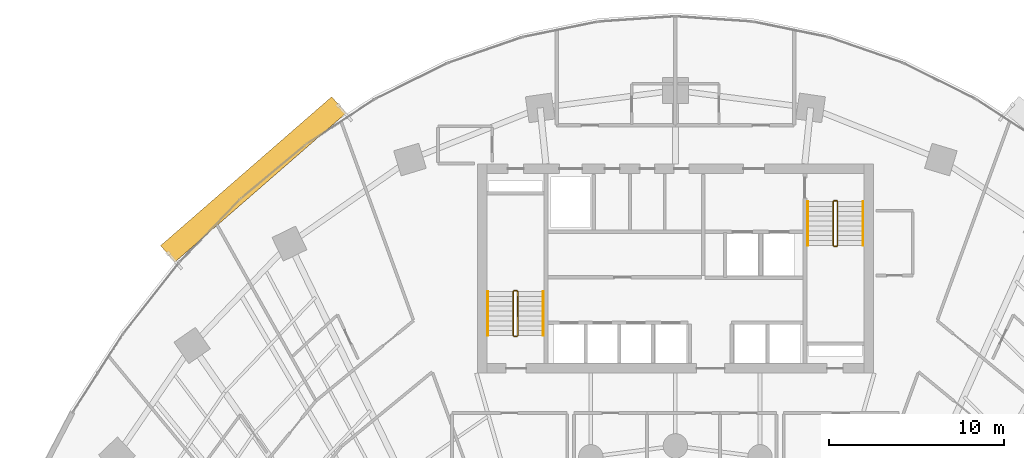
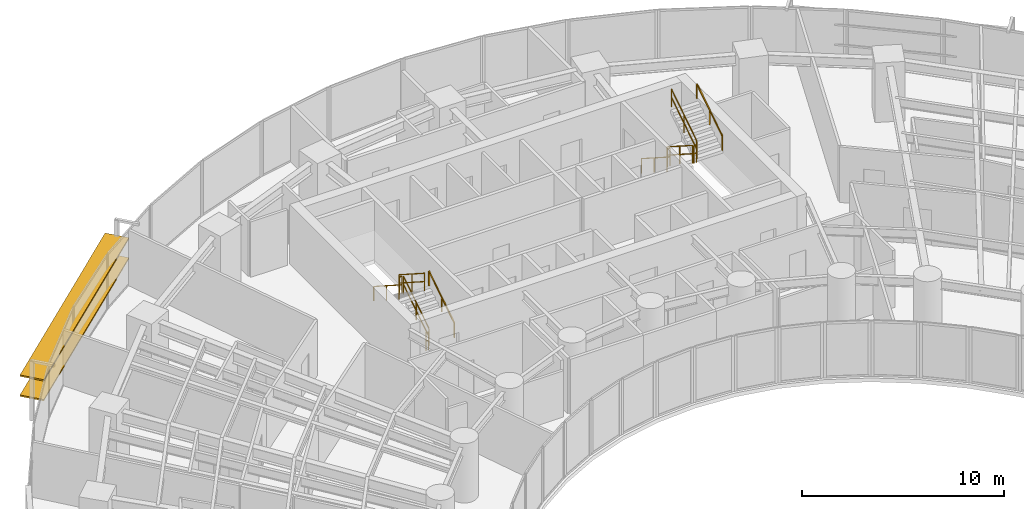
# One storey, part 16 of 17: 12 railings, 2 shading devices.
"""IFC4 building model written with IfcOpenShell, lengths in metres."""

from ifc_helpers import new_model, si_unit, direction, frame, origin, origin_2d, place, context, subcontext, project, spatial, rectangle, extrude, source, transform, mapped, material, material_profile, profile_set, type_object, type_shapes, element, save


model = new_model("IFC4")

# Units and contexts
model_context = context("Model", 3, precision=1e-05, world=origin(), true_north=direction((0.0, 1.0)))
body_context = subcontext(model_context, "Body", "Model", "MODEL_VIEW")
ifc_project = project(units=[si_unit("LENGTHUNIT", "METRE"), si_unit("AREAUNIT", "SQUARE_METRE"), si_unit("VOLUMEUNIT", "CUBIC_METRE"), si_unit("PLANEANGLEUNIT", "RADIAN"), si_unit("MASSUNIT", "GRAM", prefix="KILO")], contexts=[model_context])

# Site, building, storey
site_placement = place(None, origin())
site = spatial("IfcSite", under=ifc_project, at=site_placement, CompositionType="ELEMENT")
building_placement = place(site_placement, origin())
building = spatial("IfcBuilding", under=site, at=building_placement, Name="Breltana Convention Tower", CompositionType="ELEMENT")
storey_placement = place(building_placement, frame((0.0, 0.0, 49.800048828125)))
storey = spatial("IfcBuildingStorey", under=building, at=storey_placement, Name="L10", CompositionType="ELEMENT", Elevation=49.800048828125)

# Railings
ifc_material_1 = material(Name="Steel S275 Painted", Category="steel")
railing_type_1 = type_object("IfcRailingType", Name="RL-STAIR-GUARD-1100", PredefinedType="GUARDRAIL", material=ifc_material_1)
railing_1_placement = place(storey_placement, frame((38.9599609375, 62.360107421875, 0.179931640625)))
element("IfcRailing", 1, at=railing_1_placement, inside=storey, type_object=railing_type_1, Name="L10 ST-1 stair guard 1", PredefinedType="GUARDRAIL", context=body_context, shape_type="SweptSolid", body=[
    extrude(rectangle(XDim=0.048095703125, YDim=0.048095703125, at=origin_2d()), frame((0.0, 0.0, 1.076171875), z_axis=(0.0, 0.841138753965, 0.540819375188), x_axis=(-1.0, 0.0, 0.0)), (0.0, 0.0, 1.0), 2.99560546875),
    extrude(rectangle(XDim=0.048095703125, YDim=0.048095703125, at=origin_2d()), frame((0.0, 0.0, 0.572021484375), z_axis=(0.0, 0.841138753965, 0.540819375188), x_axis=(-1.0, 0.0, 0.0)), (0.0, 0.0, 1.0), 2.99560546875),
    extrude(rectangle(XDim=0.0419921875, YDim=0.0419921875, at=origin_2d()), origin(), (0.0, 0.0, 1.0), 1.052001953125),
    extrude(rectangle(XDim=0.0419921875, YDim=0.0419921875, at=origin_2d()), frame((0.0, 1.259765625, 0.81005859375)), (0.0, 0.0, 1.0), 1.052001953125),
    extrude(rectangle(XDim=0.0419921875, YDim=0.0419921875, at=origin_2d()), frame((0.0, 2.519775390625, 1.6201171875)), (0.0, 0.0, 1.0), 1.052001953125),
])
railing_2_placement = place(storey_placement, frame((38.909912109375, 64.929931640625, 1.800048828125)))
element("IfcRailing", 2, at=railing_2_placement, inside=storey, type_object=railing_type_1, Name="L10 ST-1 stair guard 2", PredefinedType="GUARDRAIL", context=body_context, shape_type="SweptSolid", body=[
    extrude(rectangle(XDim=0.048095703125, YDim=0.048095703125, at=origin_2d()), frame((0.0, 0.0, 1.076171875), z_axis=(-1.0, 0.0, 0.0), x_axis=(0.0, -1.0, 0.0)), (0.0, 0.0, 1.0), 0.14990234375),
    extrude(rectangle(XDim=0.048095703125, YDim=0.048095703125, at=origin_2d()), frame((0.0, 0.0, 0.572021484375), z_axis=(-1.0, 0.0, 0.0), x_axis=(0.0, -1.0, 0.0)), (0.0, 0.0, 1.0), 0.14990234375),
    extrude(rectangle(XDim=0.0419921875, YDim=0.0419921875, at=origin_2d()), origin(), (0.0, 0.0, 1.0), 1.052001953125),
    extrude(rectangle(XDim=0.0419921875, YDim=0.0419921875, at=origin_2d()), frame((-0.14990234375, 0.0, 0.0)), (0.0, 0.0, 1.0), 1.052001953125),
])
railing_3_placement = place(storey_placement, frame((38.7099609375, 64.8798828125, 1.97998046875)))
element("IfcRailing", 3, at=railing_3_placement, inside=storey, type_object=railing_type_1, Name="L10 ST-1 stair guard 3", PredefinedType="GUARDRAIL", context=body_context, shape_type="SweptSolid", body=[
    extrude(rectangle(XDim=0.048095703125, YDim=0.048095703125, at=origin_2d()), frame((0.0, 0.0, 1.076171875), z_axis=(0.0, -0.841175827307, 0.540761710511), x_axis=(1.0, 0.0, 0.0)), (0.0, 0.0, 1.0), 2.99560546875),
    extrude(rectangle(XDim=0.048095703125, YDim=0.048095703125, at=origin_2d()), frame((0.0, 0.0, 0.572021484375), z_axis=(0.0, -0.841175827307, 0.540761710511), x_axis=(1.0, 0.0, 0.0)), (0.0, 0.0, 1.0), 2.99560546875),
    extrude(rectangle(XDim=0.0419921875, YDim=0.0419921875, at=origin_2d()), origin(), (0.0, 0.0, 1.0), 1.052001953125),
    extrude(rectangle(XDim=0.0419921875, YDim=0.0419921875, at=origin_2d()), frame((0.0, -1.259765625, 0.81005859375)), (0.0, 0.0, 1.0), 1.052001953125),
    extrude(rectangle(XDim=0.0419921875, YDim=0.0419921875, at=origin_2d()), frame((0.0, -2.519775390625, 1.619873046875)), (0.0, 0.0, 1.0), 1.052001953125),
])
railing_4_placement = place(storey_placement, frame((38.909912109375, 62.31005859375, 0.0)))
element("IfcRailing", 4, at=railing_4_placement, inside=storey, type_object=railing_type_1, Name="L10 ST-1 stair guard 4", PredefinedType="GUARDRAIL", context=body_context, shape_type="SweptSolid", body=[
    extrude(rectangle(XDim=0.048095703125, YDim=0.048095703125, at=origin_2d()), frame((0.0, 0.0, 1.076171875), z_axis=(-1.0, 0.0, 0.0), x_axis=(0.0, -1.0, 0.0)), (0.0, 0.0, 1.0), 0.14990234375),
    extrude(rectangle(XDim=0.048095703125, YDim=0.048095703125, at=origin_2d()), frame((0.0, 0.0, 0.572021484375), z_axis=(-1.0, 0.0, 0.0), x_axis=(0.0, -1.0, 0.0)), (0.0, 0.0, 1.0), 0.14990234375),
    extrude(rectangle(XDim=0.0419921875, YDim=0.0419921875, at=origin_2d()), origin(), (0.0, 0.0, 1.0), 1.052001953125),
    extrude(rectangle(XDim=0.0419921875, YDim=0.0419921875, at=origin_2d()), frame((-0.14990234375, 0.0, 0.0)), (0.0, 0.0, 1.0), 1.052001953125),
])
railing_5_placement = place(storey_placement, frame((57.0400390625, 70.0400390625, 0.179931640625)))
element("IfcRailing", 5, at=railing_5_placement, inside=storey, type_object=railing_type_1, Name="L10 ST-2 stair guard 1", PredefinedType="GUARDRAIL", context=body_context, shape_type="SweptSolid", body=[
    extrude(rectangle(XDim=0.048095703125, YDim=0.048095703125, at=origin_2d()), frame((0.0, 0.0, 1.076171875), z_axis=(0.0, -0.841162588446, 0.540782303519), x_axis=(1.0, 0.0, 0.0)), (0.0, 0.0, 1.0), 2.995849609375),
    extrude(rectangle(XDim=0.048095703125, YDim=0.048095703125, at=origin_2d()), frame((0.0, 0.0, 0.572021484375), z_axis=(0.0, -0.841162588446, 0.540782303519), x_axis=(1.0, 0.0, 0.0)), (0.0, 0.0, 1.0), 2.995849609375),
    extrude(rectangle(XDim=0.0419921875, YDim=0.0419921875, at=origin_2d()), origin(), (0.0, 0.0, 1.0), 1.052001953125),
    extrude(rectangle(XDim=0.0419921875, YDim=0.0419921875, at=origin_2d()), frame((0.0, -1.260009765625, 0.81005859375)), (0.0, 0.0, 1.0), 1.052001953125),
    extrude(rectangle(XDim=0.0419921875, YDim=0.0419921875, at=origin_2d()), frame((0.0, -2.52001953125, 1.6201171875)), (0.0, 0.0, 1.0), 1.052001953125),
])
railing_6_placement = place(storey_placement, frame((57.090087890625, 67.469970703125, 1.800048828125)))
element("IfcRailing", 6, at=railing_6_placement, inside=storey, type_object=railing_type_1, Name="L10 ST-2 stair guard 2", PredefinedType="GUARDRAIL", context=body_context, shape_type="SweptSolid", body=[
    extrude(rectangle(XDim=0.048095703125, YDim=0.048095703125, at=origin_2d()), frame((0.0, 0.0, 1.076171875), z_axis=(1.0, 0.0, 0.0), x_axis=(0.0, 1.0, 0.0)), (0.0, 0.0, 1.0), 0.14990234375),
    extrude(rectangle(XDim=0.048095703125, YDim=0.048095703125, at=origin_2d()), frame((0.0, 0.0, 0.572021484375), z_axis=(1.0, 0.0, 0.0), x_axis=(0.0, 1.0, 0.0)), (0.0, 0.0, 1.0), 0.14990234375),
    extrude(rectangle(XDim=0.0419921875, YDim=0.0419921875, at=origin_2d()), origin(), (0.0, 0.0, 1.0), 1.052001953125),
    extrude(rectangle(XDim=0.0419921875, YDim=0.0419921875, at=origin_2d()), frame((0.14990234375, 0.0, 0.0)), (0.0, 0.0, 1.0), 1.052001953125),
])
railing_7_placement = place(storey_placement, frame((57.2900390625, 67.52001953125, 1.97998046875)))
element("IfcRailing", 7, at=railing_7_placement, inside=storey, type_object=railing_type_1, Name="L10 ST-2 stair guard 3", PredefinedType="GUARDRAIL", context=body_context, shape_type="SweptSolid", body=[
    extrude(rectangle(XDim=0.048095703125, YDim=0.048095703125, at=origin_2d()), frame((0.0, 0.0, 1.076171875), z_axis=(0.0, 0.841199657755, 0.540724639528), x_axis=(-1.0, 0.0, 0.0)), (0.0, 0.0, 1.0), 2.995849609375),
    extrude(rectangle(XDim=0.048095703125, YDim=0.048095703125, at=origin_2d()), frame((0.0, 0.0, 0.572021484375), z_axis=(0.0, 0.841199657755, 0.540724639528), x_axis=(-1.0, 0.0, 0.0)), (0.0, 0.0, 1.0), 2.995849609375),
    extrude(rectangle(XDim=0.0419921875, YDim=0.0419921875, at=origin_2d()), origin(), (0.0, 0.0, 1.0), 1.052001953125),
    extrude(rectangle(XDim=0.0419921875, YDim=0.0419921875, at=origin_2d()), frame((0.0, 1.260009765625, 0.81005859375)), (0.0, 0.0, 1.0), 1.052001953125),
    extrude(rectangle(XDim=0.0419921875, YDim=0.0419921875, at=origin_2d()), frame((0.0, 2.52001953125, 1.619873046875)), (0.0, 0.0, 1.0), 1.052001953125),
])
railing_8_placement = place(storey_placement, frame((57.090087890625, 70.090087890625, 0.0)))
element("IfcRailing", 8, at=railing_8_placement, inside=storey, type_object=railing_type_1, Name="L10 ST-2 stair guard 4", PredefinedType="GUARDRAIL", context=body_context, shape_type="SweptSolid", body=[
    extrude(rectangle(XDim=0.048095703125, YDim=0.048095703125, at=origin_2d()), frame((0.0, 0.0, 1.076171875), z_axis=(1.0, 0.0, 0.0), x_axis=(0.0, 1.0, 0.0)), (0.0, 0.0, 1.0), 0.14990234375),
    extrude(rectangle(XDim=0.048095703125, YDim=0.048095703125, at=origin_2d()), frame((0.0, 0.0, 0.572021484375), z_axis=(1.0, 0.0, 0.0), x_axis=(0.0, 1.0, 0.0)), (0.0, 0.0, 1.0), 0.14990234375),
    extrude(rectangle(XDim=0.0419921875, YDim=0.0419921875, at=origin_2d()), origin(), (0.0, 0.0, 1.0), 1.052001953125),
    extrude(rectangle(XDim=0.0419921875, YDim=0.0419921875, at=origin_2d()), frame((0.14990234375, 0.0, 0.0)), (0.0, 0.0, 1.0), 1.052001953125),
])
ifc_material_2 = material(Name="Stainless Steel 316L", Category="steel")
railing_type_2 = type_object("IfcRailingType", Name="RL-STAIR-HANDRAIL-900", PredefinedType="HANDRAIL", material=ifc_material_2)
railing_9_placement = place(storey_placement, frame((40.419921875, 62.360107421875, 0.179931640625)))
element("IfcRailing", 9, at=railing_9_placement, inside=storey, type_object=railing_type_2, Name="L10 ST-1 stair handrail 1", PredefinedType="HANDRAIL", context=body_context, shape_type="SweptSolid", body=[
    extrude(rectangle(XDim=0.048095703125, YDim=0.048095703125, at=origin_2d()), frame((0.0, 0.0, 0.8759765625), z_axis=(0.0, 0.841138753965, 0.540819375188), x_axis=(-1.0, 0.0, 0.0)), (0.0, 0.0, 1.0), 2.99560546875),
    extrude(rectangle(XDim=0.0419921875, YDim=0.0419921875, at=origin_2d()), origin(), (0.0, 0.0, 1.0), 0.851806640625),
    extrude(rectangle(XDim=0.0419921875, YDim=0.0419921875, at=origin_2d()), frame((0.0, 1.259765625, 0.81005859375)), (0.0, 0.0, 1.0), 0.851806640625),
    extrude(rectangle(XDim=0.0419921875, YDim=0.0419921875, at=origin_2d()), frame((0.0, 2.519775390625, 1.6201171875)), (0.0, 0.0, 1.0), 0.851806640625),
])
railing_10_placement = place(storey_placement, frame((37.25, 64.8798828125, 1.97998046875)))
element("IfcRailing", 10, at=railing_10_placement, inside=storey, type_object=railing_type_2, Name="L10 ST-1 stair handrail 2", PredefinedType="HANDRAIL", context=body_context, shape_type="SweptSolid", body=[
    extrude(rectangle(XDim=0.048095703125, YDim=0.048095703125, at=origin_2d()), frame((0.0, 0.0, 0.8759765625), z_axis=(0.0, -0.841175827307, 0.540761710511), x_axis=(1.0, 0.0, 0.0)), (0.0, 0.0, 1.0), 2.99560546875),
    extrude(rectangle(XDim=0.0419921875, YDim=0.0419921875, at=origin_2d()), origin(), (0.0, 0.0, 1.0), 0.851806640625),
    extrude(rectangle(XDim=0.0419921875, YDim=0.0419921875, at=origin_2d()), frame((0.0, -1.259765625, 0.81005859375)), (0.0, 0.0, 1.0), 0.851806640625),
    extrude(rectangle(XDim=0.0419921875, YDim=0.0419921875, at=origin_2d()), frame((0.0, -2.519775390625, 1.619873046875)), (0.0, 0.0, 1.0), 0.851806640625),
])
railing_11_placement = place(storey_placement, frame((55.580078125, 70.0400390625, 0.179931640625)))
element("IfcRailing", 11, at=railing_11_placement, inside=storey, type_object=railing_type_2, Name="L10 ST-2 stair handrail 1", PredefinedType="HANDRAIL", context=body_context, shape_type="SweptSolid", body=[
    extrude(rectangle(XDim=0.048095703125, YDim=0.048095703125, at=origin_2d()), frame((0.0, 0.0, 0.8759765625), z_axis=(0.0, -0.841162588446, 0.540782303519), x_axis=(1.0, 0.0, 0.0)), (0.0, 0.0, 1.0), 2.995849609375),
    extrude(rectangle(XDim=0.0419921875, YDim=0.0419921875, at=origin_2d()), origin(), (0.0, 0.0, 1.0), 0.851806640625),
    extrude(rectangle(XDim=0.0419921875, YDim=0.0419921875, at=origin_2d()), frame((0.0, -1.260009765625, 0.81005859375)), (0.0, 0.0, 1.0), 0.851806640625),
    extrude(rectangle(XDim=0.0419921875, YDim=0.0419921875, at=origin_2d()), frame((0.0, -2.52001953125, 1.6201171875)), (0.0, 0.0, 1.0), 0.851806640625),
])
railing_12_placement = place(storey_placement, frame((58.75, 67.52001953125, 1.97998046875)))
element("IfcRailing", 12, at=railing_12_placement, inside=storey, type_object=railing_type_2, Name="L10 ST-2 stair handrail 2", PredefinedType="HANDRAIL", context=body_context, shape_type="SweptSolid", body=[
    extrude(rectangle(XDim=0.048095703125, YDim=0.048095703125, at=origin_2d()), frame((0.0, 0.0, 0.8759765625), z_axis=(0.0, 0.841199657755, 0.540724639528), x_axis=(-1.0, 0.0, 0.0)), (0.0, 0.0, 1.0), 2.995849609375),
    extrude(rectangle(XDim=0.0419921875, YDim=0.0419921875, at=origin_2d()), origin(), (0.0, 0.0, 1.0), 0.851806640625),
    extrude(rectangle(XDim=0.0419921875, YDim=0.0419921875, at=origin_2d()), frame((0.0, 1.260009765625, 0.81005859375)), (0.0, 0.0, 1.0), 0.851806640625),
    extrude(rectangle(XDim=0.0419921875, YDim=0.0419921875, at=origin_2d()), frame((0.0, 2.52001953125, 1.619873046875)), (0.0, 0.0, 1.0), 0.851806640625),
])

# Shading devices
ifc_material_3 = material(Name="Limestone Warm Buff Honed", Category="masonry")
ifc_material_profile = material_profile(ifc_material_3, rectangle(XDim=1.25, YDim=0.090087890625, at=origin_2d()), Name="STN-LVR-1250X90")
ifc_profile_set = profile_set([ifc_material_profile], Name="Limestone Warm Buff Honed")
shading_device_type = type_object("IfcShadingDeviceType", Name="SHD-OUTER-SKIN-LIMESTONE-1250", PredefinedType="JALOUSIE", material=ifc_profile_set)
shared_shape = source(origin(), body_context, "Body", "SweptSolid", [
    extrude(rectangle(XDim=1.25, YDim=0.090087890625, at=origin_2d()), origin(), (0.0, 0.0, 1.0), 12.99462890625),
])
type_shapes(shading_device_type, [shared_shape])
for number, where, z_axis, x_axis, name in (
    (13, (18.9130859375, 67.039794921875, 1.20947265625), (0.754353477941, 0.656468453407, 0.0), (-0.656468453407, 0.754353477941, 0.0), "L10 outer skin warm limestone louvre 1.1"),
    (14, (18.9130859375, 67.039794921875, 2.419189453125), (0.754353477941, 0.656468453407, 0.0), (-0.656468453407, 0.754353477941, 0.0), "L10 outer skin warm limestone louvre 1.2"),
):
    element("IfcShadingDevice", number, at=place(storey_placement, frame(where, z_axis=z_axis, x_axis=x_axis)), inside=storey, type_object=shading_device_type, Name=name, PredefinedType="JALOUSIE", context=body_context, shape_type="MappedRepresentation", body=[
        mapped(shared_shape, transform((0.0, 0.0, 0.0), scale=1.0)),
    ])

save(model, "model.ifc")
